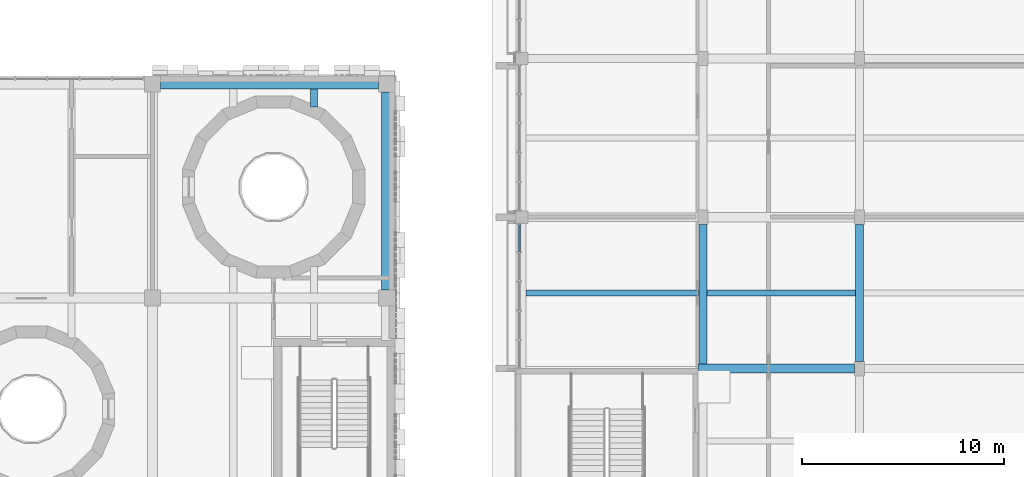
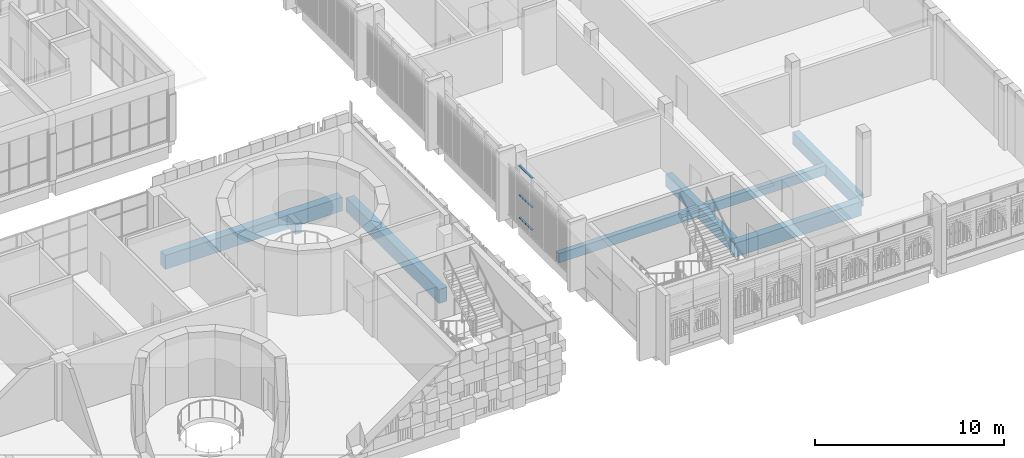
# One storey, part 20 of 92: 8 beams, 3 members, 1 element without a shape of its own.
"""IFC4 building model written with IfcOpenShell, lengths in metres."""

from ifc_helpers import new_model, si_unit, direction, frame, origin, origin_2d, place, context, subcontext, project, spatial, rectangle, hollow_rectangle, extrude, material, material_profile, profile_set, type_object, element, aggregate, save


model = new_model("IFC4")

# Units and contexts
model_context = context("Model", 3, precision=1e-05, world=origin(), true_north=direction((0.0, 1.0)))
body_context = subcontext(model_context, "Body", "Model", "MODEL_VIEW")
ifc_project = project(units=[si_unit("LENGTHUNIT", "METRE"), si_unit("AREAUNIT", "SQUARE_METRE"), si_unit("VOLUMEUNIT", "CUBIC_METRE"), si_unit("PLANEANGLEUNIT", "RADIAN"), si_unit("MASSUNIT", "GRAM", prefix="KILO")], contexts=[model_context])

# Site, building, storey
site_placement = place(None, origin())
site = spatial("IfcSite", under=ifc_project, at=site_placement, CompositionType="ELEMENT")
building_placement = place(site_placement, origin())
building = spatial("IfcBuilding", under=site, at=building_placement, Name="Sun Court Science Centre", CompositionType="ELEMENT")
storey_placement = place(building_placement, frame((0.0, 0.0, 11.25)))
storey = spatial("IfcBuildingStorey", under=building, at=storey_placement, Name="L02", CompositionType="ELEMENT", Elevation=11.25)

# Curtain wall, members
ifc_material_1 = material(Name="Aluminium EN AW-6063 T6", Category="aluminium")
curtain_wall_type = type_object("IfcCurtainWallType", Name="Laboratory tall bay curtain wall 1500", PredefinedType="NOTDEFINED", material=ifc_material_1)
curtain_wall_placement = place(storey_placement, origin())
curtain_wall = element("IfcCurtainWall", 1, at=curtain_wall_placement, inside=storey, type_object=curtain_wall_type, Name="Curtain wall V4 W L02 01", PredefinedType="NOTDEFINED")
ifc_material_2 = material(Name="Aluminium EN AW-6063 T6", Category="aluminium")
ifc_material_profile_1 = material_profile(ifc_material_2, hollow_rectangle(XDim=0.06005859375, YDim=0.1201171875, WallThickness=0.00390625, InnerFilletRadius=0.00390625, OuterFilletRadius=0.006103515625, at=origin_2d()), Name="AL 60x120x4")
ifc_profile_set_1 = profile_set([ifc_material_profile_1], Name="Aluminium EN AW-6063 T6")
member_type = type_object("IfcMemberType", Name="Curtain wall transom AL 60x120", PredefinedType="USERDEFINED", material=ifc_profile_set_1)
member_1_placement = place(storey_placement, frame((78.14990234375, 19.2900390625, 0.030029296875), z_axis=(0.0, 1.0, 0.0), x_axis=(0.0, 0.0, 1.0)))
member_1 = element("IfcMember", 2, at=member_1_placement, type_object=member_type, Name="CW2-19 transom 5.1", ObjectType="TRANSOM", PredefinedType="USERDEFINED", context=body_context, shape_type="SweptSolid", body=[
    extrude(hollow_rectangle(XDim=0.06005859375, YDim=0.1201171875, WallThickness=0.00390625, InnerFilletRadius=0.00390625, OuterFilletRadius=0.006103515625, at=origin_2d()), origin(), (0.0, 0.0, 1.0), 1.349853515625),
])
member_2_placement = place(storey_placement, frame((78.14990234375, 19.2900390625, 1.5), z_axis=(0.0, 1.0, 0.0), x_axis=(0.0, 0.0, 1.0)))
member_2 = element("IfcMember", 3, at=member_2_placement, type_object=member_type, Name="CW2-19 transom 5.2", ObjectType="TRANSOM", PredefinedType="USERDEFINED", context=body_context, shape_type="SweptSolid", body=[
    extrude(hollow_rectangle(XDim=0.06005859375, YDim=0.1201171875, WallThickness=0.00390625, InnerFilletRadius=0.00390625, OuterFilletRadius=0.006103515625, at=origin_2d()), origin(), (0.0, 0.0, 1.0), 1.349853515625),
])
member_3_placement = place(storey_placement, frame((78.14990234375, 19.2900390625, 3.3701171875), z_axis=(0.0, 1.0, 0.0), x_axis=(0.0, 0.0, 1.0)))
member_3 = element("IfcMember", 4, at=member_3_placement, type_object=member_type, Name="CW2-19 transom 5.3", ObjectType="TRANSOM", PredefinedType="USERDEFINED", context=body_context, shape_type="SweptSolid", body=[
    extrude(hollow_rectangle(XDim=0.06005859375, YDim=0.1201171875, WallThickness=0.00390625, InnerFilletRadius=0.00390625, OuterFilletRadius=0.006103515625, at=origin_2d()), origin(), (0.0, 0.0, 1.0), 1.349853515625),
])
aggregate(curtain_wall, [member_1, member_2, member_3])

# Beams
ifc_material_3 = material(Name="Concrete C25/30", Category="concrete")
ifc_material_profile_2 = material_profile(ifc_material_3, rectangle(XDim=0.39990234375, YDim=0.800048828125, at=origin_2d()), Name="RC 400x800")
ifc_profile_set_2 = profile_set([ifc_material_profile_2], Name="Concrete C25/30")
beam_type_1 = type_object("IfcBeamType", Name="RC girder 400x800", PredefinedType="BEAM", material=ifc_profile_set_2)
beam_1_placement = place(storey_placement, frame((87.25, 13.72509765625, -0.699951171875), z_axis=(0.0, 1.0, 0.0), x_axis=(-1.0, 0.0, 0.0)))
element("IfcBeam", 5, at=beam_1_placement, inside=storey, type_object=beam_type_1, Name="Girder L02 line 2", PredefinedType="BEAM", context=body_context, shape_type="SweptSolid", body=[
    extrude(rectangle(XDim=0.39990234375, YDim=0.800048828125, at=origin_2d()), origin(), (0.0, 0.0, 1.0), 6.9248046875),
])
beam_2_placement = place(storey_placement, frame((95.0, 13.85009765625, -0.699951171875), z_axis=(0.0, 1.0, 0.0), x_axis=(-1.0, 0.0, 0.0)))
element("IfcBeam", 6, at=beam_2_placement, inside=storey, type_object=beam_type_1, Name="Girder L02 line 3", PredefinedType="BEAM", context=body_context, shape_type="SweptSolid", body=[
    extrude(rectangle(XDim=0.39990234375, YDim=0.800048828125, at=origin_2d()), origin(), (0.0, 0.0, 1.0), 6.7998046875),
])
ifc_material_4 = material(Name="Concrete C25/30", Category="concrete")
ifc_material_profile_3 = material_profile(ifc_material_4, rectangle(XDim=0.449951171875, YDim=0.89990234375, at=origin_2d()), Name="RC 450x900")
ifc_profile_set_3 = profile_set([ifc_material_profile_3], Name="Concrete C25/30")
beam_type_2 = type_object("IfcBeamType", Name="RC girder 450x900", PredefinedType="BEAM", material=ifc_profile_set_3)
beam_3_placement = place(storey_placement, frame((87.0, 13.5, -0.75), z_axis=(1.0, 0.0, 0.0), x_axis=(0.0, 1.0, 0.0)))
element("IfcBeam", 7, at=beam_3_placement, inside=storey, type_object=beam_type_2, Name="Girder L02 row 2", PredefinedType="BEAM", context=body_context, shape_type="SweptSolid", body=[
    extrude(rectangle(XDim=0.449951171875, YDim=0.89990234375, at=origin_2d()), origin(), (0.0, 0.0, 1.0), 7.75),
])
ifc_material_5 = material(Name="Concrete C25/30", Category="concrete")
ifc_material_profile_4 = material_profile(ifc_material_5, rectangle(XDim=0.5, YDim=0.89990234375, at=origin_2d()), Name="RC 500x900")
ifc_profile_set_4 = profile_set([ifc_material_profile_4], Name="Concrete C25/30")
beam_type_3 = type_object("IfcBeamType", Name="RC girder 500x900", PredefinedType="BEAM", material=ifc_profile_set_4)
beam_4_placement = place(storey_placement, frame((60.39990234375, 27.60009765625, -0.75), z_axis=(1.0, 0.0, 0.0), x_axis=(0.0, 1.0, 0.0)))
element("IfcBeam", 8, at=beam_4_placement, inside=storey, type_object=beam_type_3, Name="Girder L02 line 3", PredefinedType="BEAM", context=body_context, shape_type="SweptSolid", body=[
    extrude(rectangle(XDim=0.5, YDim=0.89990234375, at=origin_2d()), origin(), (0.0, 0.0, 1.0), 10.800048828125),
])
beam_5_placement = place(storey_placement, frame((71.60009765625, 17.39990234375, -0.75), z_axis=(0.0, 1.0, 0.0), x_axis=(-1.0, 0.0, 0.0)))
element("IfcBeam", 9, at=beam_5_placement, inside=storey, type_object=beam_type_3, Name="Girder L02 line G", PredefinedType="BEAM", context=body_context, shape_type="SweptSolid", body=[
    extrude(rectangle(XDim=0.5, YDim=0.89990234375, at=origin_2d()), origin(), (0.0, 0.0, 1.0), 9.800048828125),
])
ifc_material_6 = material(Name="Concrete C25/30", Category="concrete")
ifc_material_profile_5 = material_profile(ifc_material_6, rectangle(XDim=0.300048828125, YDim=0.60009765625, at=origin_2d()), Name="RC 300x600")
ifc_profile_set_5 = profile_set([ifc_material_profile_5], Name="Concrete C25/30")
beam_type_4 = type_object("IfcBeamType", Name="RC joist 300x600", PredefinedType="JOIST", material=ifc_profile_set_5)
beam_6_placement = place(storey_placement, frame((78.5, 17.25, -0.60009765625), z_axis=(1.0, 0.0, 0.0), x_axis=(0.0, 1.0, 0.0)))
element("IfcBeam", 10, at=beam_6_placement, inside=storey, type_object=beam_type_4, Name="Joist L02", PredefinedType="JOIST", context=body_context, shape_type="SweptSolid", body=[
    extrude(rectangle(XDim=0.300048828125, YDim=0.60009765625, at=origin_2d()), origin(), (0.0, 0.0, 1.0), 8.550048828125),
])
beam_7_placement = place(storey_placement, frame((87.449951171875, 17.25, -0.60009765625), z_axis=(1.0, 0.0, 0.0), x_axis=(0.0, 1.0, 0.0)))
element("IfcBeam", 11, at=beam_7_placement, inside=storey, type_object=beam_type_4, Name="Joist L02", PredefinedType="JOIST", context=body_context, shape_type="SweptSolid", body=[
    extrude(rectangle(XDim=0.300048828125, YDim=0.60009765625, at=origin_2d()), origin(), (0.0, 0.0, 1.0), 7.35009765625),
])
ifc_material_7 = material(Name="Concrete C25/30", Category="concrete")
ifc_material_profile_6 = material_profile(ifc_material_7, rectangle(XDim=0.35009765625, YDim=0.699951171875, at=origin_2d()), Name="RC 350x700")
ifc_profile_set_6 = profile_set([ifc_material_profile_6], Name="Concrete C25/30")
beam_type_5 = type_object("IfcBeamType", Name="RC joist 350x700", PredefinedType="JOIST", material=ifc_profile_set_6)
beam_8_placement = place(storey_placement, frame((68.0, 26.44677734375, -0.64990234375), z_axis=(0.0, 1.0, 0.0), x_axis=(-1.0, 0.0, 0.0)))
element("IfcBeam", 12, at=beam_8_placement, inside=storey, type_object=beam_type_5, Name="Joist L02", PredefinedType="JOIST", context=body_context, shape_type="SweptSolid", body=[
    extrude(rectangle(XDim=0.35009765625, YDim=0.699951171875, at=origin_2d()), origin(), (0.0, 0.0, 1.0), 0.9033203125),
])

save(model, "model.ifc")
